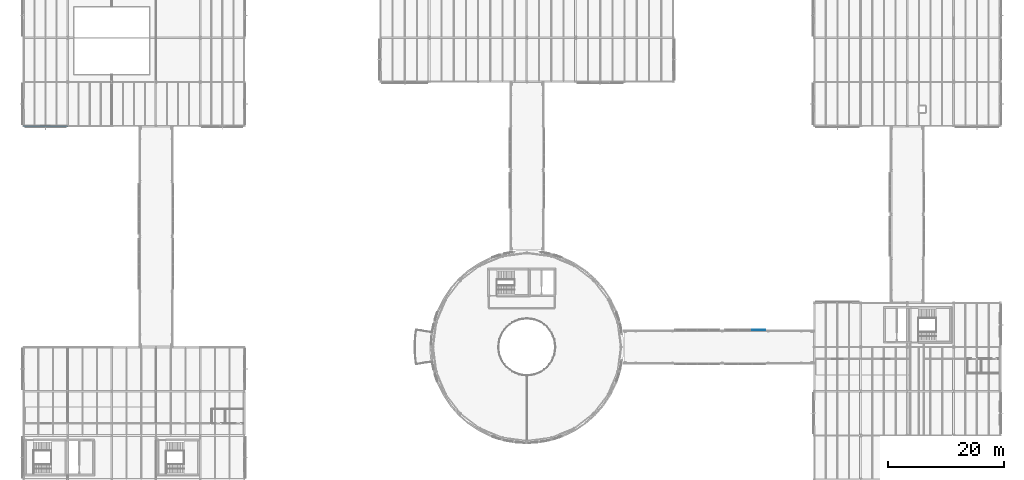
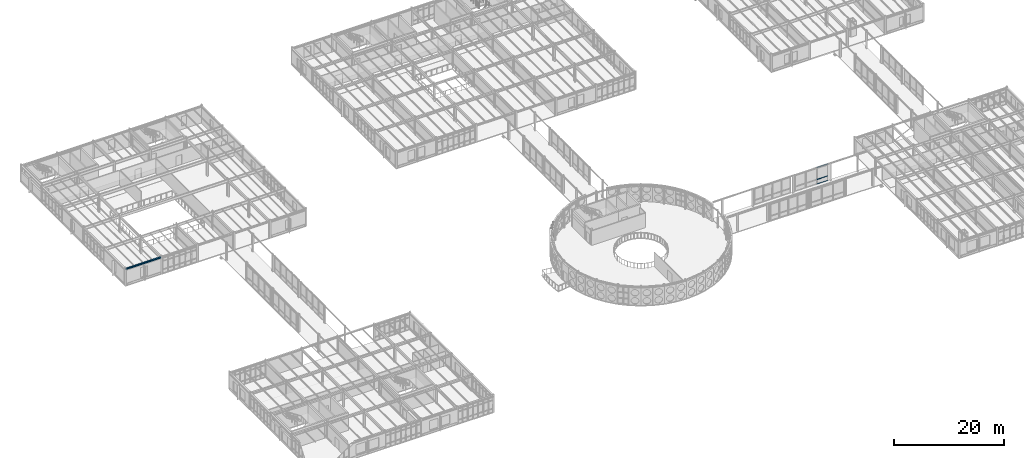
# One storey, part 63 of 165: 3 members, 1 beam, 1 element without a shape of its own.
"""IFC4 building model written with IfcOpenShell, lengths in metres."""

from ifc_helpers import new_model, si_unit, direction, frame, origin, origin_2d, place, context, subcontext, project, spatial, hollow_rectangle, i_section, extrude, material, layer, layer_set, material_profile, profile_set, type_object, element, aggregate, save


model = new_model("IFC4")

# Units and contexts
model_context = context("Model", 3, precision=1e-05, world=origin(), true_north=direction((0.0, 1.0)))
body_context = subcontext(model_context, "Body", "Model", "MODEL_VIEW")
ifc_project = project(units=[si_unit("LENGTHUNIT", "METRE"), si_unit("AREAUNIT", "SQUARE_METRE"), si_unit("VOLUMEUNIT", "CUBIC_METRE"), si_unit("PLANEANGLEUNIT", "RADIAN"), si_unit("MASSUNIT", "GRAM", prefix="KILO")], contexts=[model_context])

# Site, building, storey
site_placement = place(None, origin())
site = spatial("IfcSite", under=ifc_project, at=site_placement, CompositionType="ELEMENT")
building_placement = place(site_placement, origin())
building = spatial("IfcBuilding", under=site, at=building_placement, Name="Montecoro Central Library", CompositionType="ELEMENT")
storey_placement = place(building_placement, frame((0.0, 0.0, 5.10009765625)))
storey = spatial("IfcBuildingStorey", under=building, at=storey_placement, Name="L01", CompositionType="ELEMENT", Elevation=5.10009765625)

# Beam
ifc_material_1 = material(Name="Steel S355", Category="steel")
ifc_material_profile_1 = material_profile(ifc_material_1, i_section(OverallWidth=0.280029296875, OverallDepth=0.27001953125, WebThickness=0.008056640625, FlangeThickness=0.012939453125, at=origin_2d()), Name="HEA 280")
ifc_profile_set_1 = profile_set([ifc_material_profile_1], Name="Steel S355")
beam_type = type_object("IfcBeamType", Name="BM-SP-HEA280", PredefinedType="SPANDREL", material=ifc_profile_set_1)
beam_placement = place(storey_placement, frame((5.0048828125, 73.39990234375, 3.68994140625), z_axis=(1.0, 0.0, 0.0), x_axis=(0.0, 1.0, 0.0)))
element("IfcBeam", 1, at=beam_placement, inside=storey, type_object=beam_type, Name="V4-L01-BX-12-K", PredefinedType="SPANDREL", context=body_context, shape_type="SweptSolid", body=[
    extrude(i_section(OverallWidth=0.280029296875, OverallDepth=0.27001953125, WebThickness=0.008056640625, FlangeThickness=0.012939453125, at=origin_2d()), origin(), (0.0, 0.0, 1.0), 7.590087890625),
])

# Curtain wall, members
ifc_material_2 = material(Name="Bronze-anodised aluminium and low-E glazing", Category="aluminium")
ifc_layer = layer(ifc_material_2, 0.159912109375)
ifc_layer_set = layer_set([ifc_layer], Name="Bronze-anodised aluminium and low-E glazing")
curtain_wall_type = type_object("IfcCurtainWallType", Name="CWT-088", PredefinedType="NOTDEFINED", material=ifc_layer_set)
curtain_wall_placement = place(storey_placement, origin())
curtain_wall = element("IfcCurtainWall", 2, at=curtain_wall_placement, inside=storey, type_object=curtain_wall_type, Name="BR-SE-L01-CW-N2", PredefinedType="NOTDEFINED")
ifc_material_3 = material(Name="Bronze-anodised aluminium", Category="aluminium")
ifc_material_profile_2 = material_profile(ifc_material_3, hollow_rectangle(XDim=0.06005859375, YDim=0.1201171875, WallThickness=0.00390625, at=origin_2d()), Name="CWT 120x60x4.0")
ifc_profile_set_2 = profile_set([ifc_material_profile_2], Name="Bronze-anodised aluminium")
member_type = type_object("IfcMemberType", Name="CWT-BRZ-60", PredefinedType="USERDEFINED", material=ifc_profile_set_2)
member_1_placement = place(storey_placement, frame((130.356689453125, 38.320068359375, 0.02978515625), z_axis=(1.0, 0.0, 0.0), x_axis=(0.0, 1.0, 0.0)))
member_1 = element("IfcMember", 3, at=member_1_placement, type_object=member_type, Name="CW-088 transom 3.1", ObjectType="TRANSOM", PredefinedType="USERDEFINED", context=body_context, shape_type="SweptSolid", body=[
    extrude(hollow_rectangle(XDim=0.06005859375, YDim=0.1201171875, WallThickness=0.00390625, at=origin_2d()), origin(), (0.0, 0.0, 1.0), 2.263427734375),
])
member_2_placement = place(storey_placement, frame((130.356689453125, 38.320068359375, 1.0498046875), z_axis=(1.0, 0.0, 0.0), x_axis=(0.0, 1.0, 0.0)))
member_2 = element("IfcMember", 4, at=member_2_placement, type_object=member_type, Name="CW-088 transom 3.2", ObjectType="TRANSOM", PredefinedType="USERDEFINED", context=body_context, shape_type="SweptSolid", body=[
    extrude(hollow_rectangle(XDim=0.06005859375, YDim=0.1201171875, WallThickness=0.00390625, at=origin_2d()), origin(), (0.0, 0.0, 1.0), 2.263427734375),
])
member_3_placement = place(storey_placement, frame((130.356689453125, 38.320068359375, 3.699951171875), z_axis=(1.0, 0.0, 0.0), x_axis=(0.0, 1.0, 0.0)))
member_3 = element("IfcMember", 5, at=member_3_placement, type_object=member_type, Name="CW-088 transom 3.3", ObjectType="TRANSOM", PredefinedType="USERDEFINED", context=body_context, shape_type="SweptSolid", body=[
    extrude(hollow_rectangle(XDim=0.06005859375, YDim=0.1201171875, WallThickness=0.00390625, at=origin_2d()), origin(), (0.0, 0.0, 1.0), 2.263427734375),
])
aggregate(curtain_wall, [member_1, member_2, member_3])

save(model, "model.ifc")
